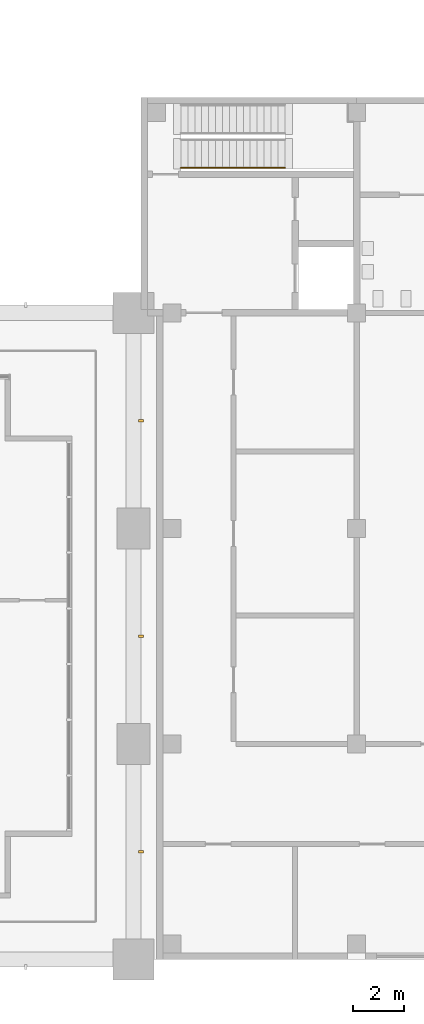
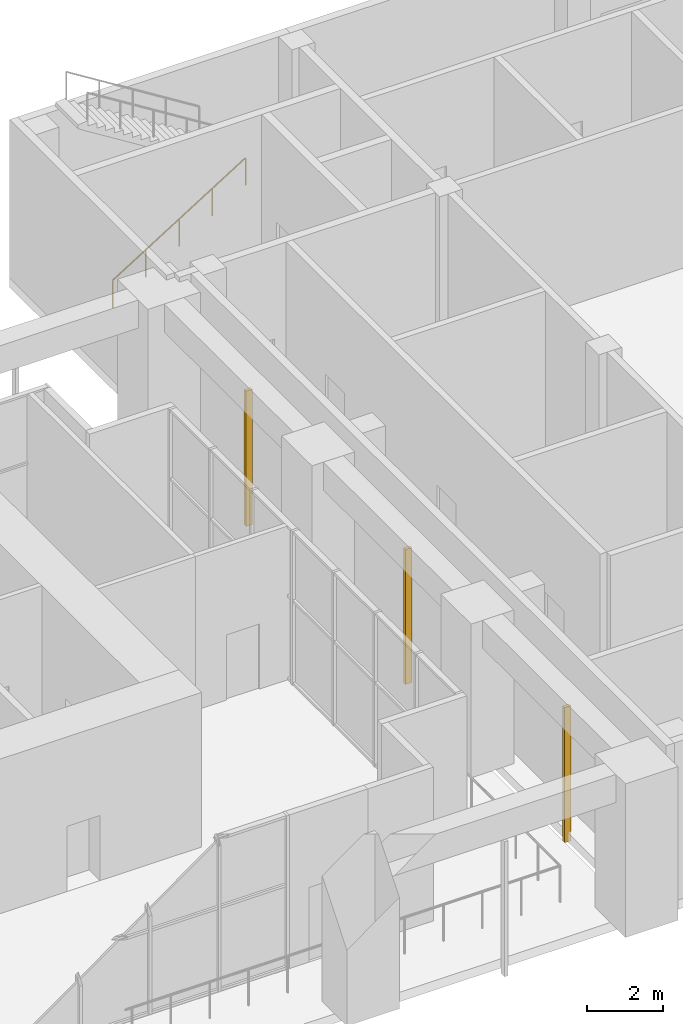
# One storey, part 24 of 26: 3 shading devices, 1 railing.
"""IFC4 building model written with IfcOpenShell, lengths in metres."""

from ifc_helpers import new_model, si_unit, direction, frame, origin, origin_2d, place, context, subcontext, project, spatial, rectangle, circle, extrude, material, material_profile, profile_set, type_object, element, save


model = new_model("IFC4")

# Units and contexts
model_context = context("Model", 3, precision=1e-05, world=origin(), true_north=direction((0.0, 1.0)))
body_context = subcontext(model_context, "Body", "Model", "MODEL_VIEW")
ifc_project = project(units=[si_unit("LENGTHUNIT", "METRE"), si_unit("AREAUNIT", "SQUARE_METRE"), si_unit("VOLUMEUNIT", "CUBIC_METRE"), si_unit("PLANEANGLEUNIT", "RADIAN"), si_unit("MASSUNIT", "GRAM", prefix="KILO")], contexts=[model_context])

# Site, building, storey
site_placement = place(None, origin())
site = spatial("IfcSite", under=ifc_project, at=site_placement, CompositionType="ELEMENT")
building_placement = place(site_placement, origin())
building = spatial("IfcBuilding", under=site, at=building_placement, Name="Vermilion Gate Residences", CompositionType="ELEMENT")
storey_placement = place(building_placement, frame((0.0, 0.0, 9.0)))
storey = spatial("IfcBuildingStorey", under=building, at=storey_placement, Name="L01", CompositionType="ELEMENT", Elevation=9.0)

# Railing
ifc_material_1 = material(Name="Steel", Category="steel")
railing_type = type_object("IfcRailingType", Name="STEEL HANDRAIL 900 (MARKET HALL)", PredefinedType="HANDRAIL", material=ifc_material_1)
railing_placement = place(storey_placement, frame((69.050048828125, 30.85009765625, 0.168701171875)))
element("IfcRailing", 1, at=railing_placement, inside=storey, type_object=railing_type, Name="Stair handrail STH1-01-1a", PredefinedType="HANDRAIL", context=body_context, shape_type="SweptSolid", body=[
    extrude(circle(Radius=0.0224609375, at=origin_2d()), frame((0.0, 0.0, 0.87744140625), z_axis=(0.848001175806, 0.0, 0.529994345094), x_axis=(0.0, 1.0, 0.0)), (0.0, 0.0, 1.0), 4.77587890625),
    extrude(circle(Radius=0.02001953125, at=origin_2d()), origin(), (0.0, 0.0, 1.0), 0.85498046875),
    extrude(circle(Radius=0.02001953125, at=origin_2d()), frame((1.012451171875, 0.0, 0.6328125)), (0.0, 0.0, 1.0), 0.85498046875),
    extrude(circle(Radius=0.02001953125, at=origin_2d()), frame((2.02490234375, 0.0, 1.265625)), (0.0, 0.0, 1.0), 0.85498046875),
    extrude(circle(Radius=0.02001953125, at=origin_2d()), frame((3.03759765625, 0.0, 1.8984375)), (0.0, 0.0, 1.0), 0.85498046875),
    extrude(circle(Radius=0.02001953125, at=origin_2d()), frame((4.050048828125, 0.0, 2.53125)), (0.0, 0.0, 1.0), 0.85498046875),
])

# Shading devices
ifc_material_2 = material(Name="Extruded terracotta", Category="masonry")
ifc_material_profile = material_profile(ifc_material_2, rectangle(XDim=0.199951171875, YDim=0.10009765625, at=origin_2d()), Name="BAGUETTE 100 X 200")
ifc_profile_set = profile_set([ifc_material_profile], Name="Extruded terracotta")
shading_device_type = type_object("IfcShadingDeviceType", Name="TERRACOTTA BAGUETTE 100 X 200", PredefinedType="JALOUSIE", material=ifc_profile_set)
for number, where, z_axis, x_axis, name in (
    (2, (67.5, 4.199951171875, -0.300048828125), (0.0, 0.0, 1.0), (-1.0, 0.0, 0.0), "BAGUETTE"),
    (3, (67.5, 12.60009765625, -0.300048828125), (0.0, 0.0, 1.0), (-1.0, 0.0, 0.0), "BAGUETTE"),
    (4, (67.5, 21.0, -0.300048828125), (0.0, 0.0, 1.0), (-1.0, 0.0, 0.0), "BAGUETTE"),
):
    element("IfcShadingDevice", number, at=place(storey_placement, frame(where, z_axis=z_axis, x_axis=x_axis)), inside=storey, type_object=shading_device_type, Name=name, PredefinedType="JALOUSIE", context=body_context, shape_type="SweptSolid", body=[
        extrude(rectangle(XDim=0.199951171875, YDim=0.10009765625, at=origin_2d()), origin(), (0.0, 0.0, 1.0), 4.35009765625),
    ])

save(model, "model.ifc")
